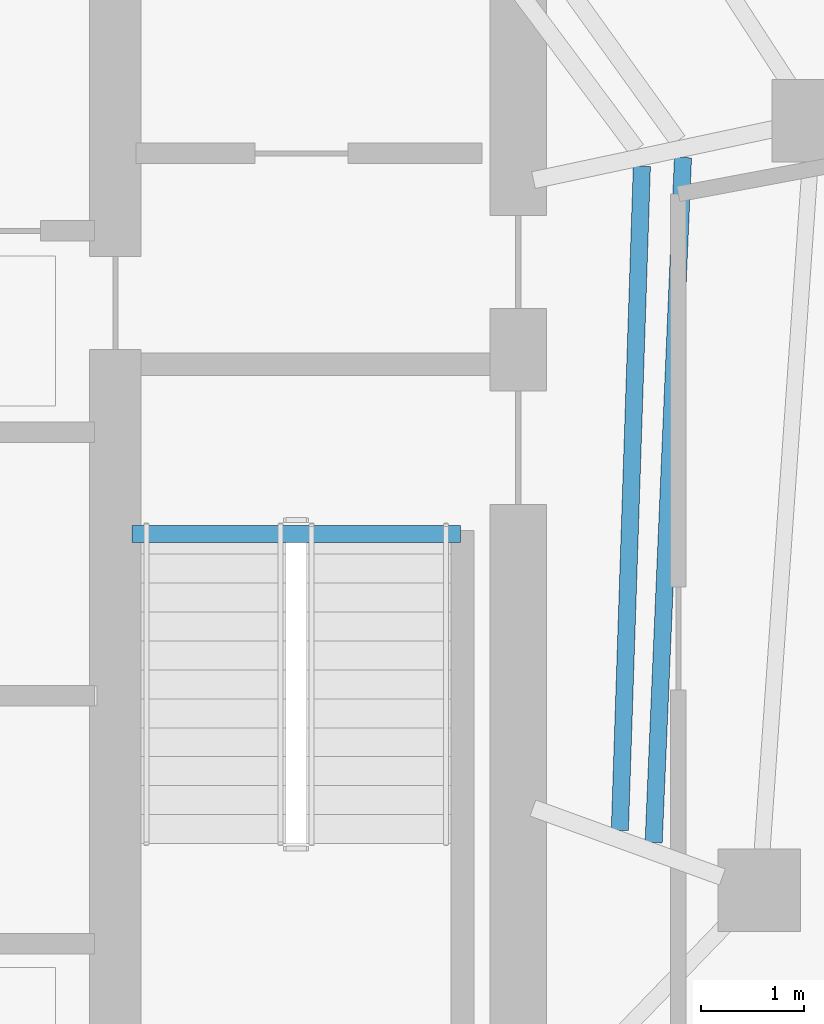
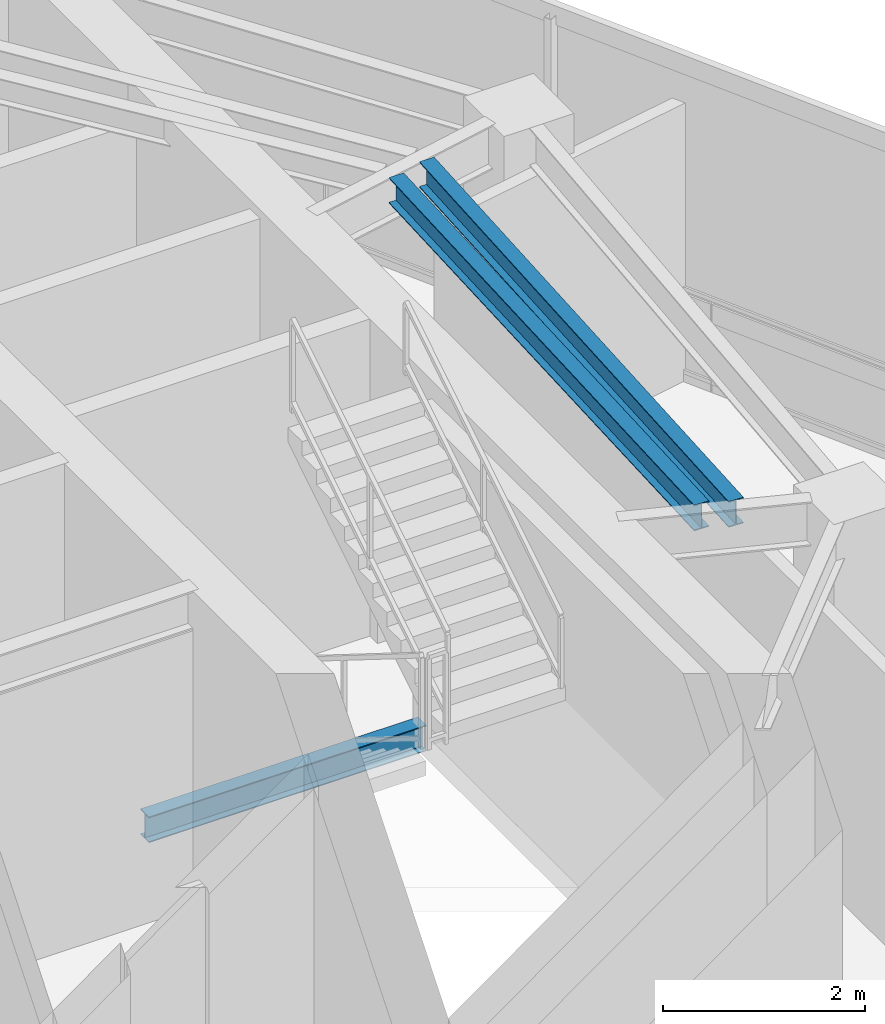
# One storey, part 5 of 18: 3 beams.
"""IFC4 building model written with IfcOpenShell, lengths in metres."""

from ifc_helpers import new_model, si_unit, direction, frame, origin, origin_2d, place, context, subcontext, project, spatial, i_section, extrude, material, material_profile, profile_set, type_object, element, save


model = new_model("IFC4")

# Units and contexts
model_context = context("Model", 3, precision=1e-05, world=origin(), true_north=direction((0.0, 1.0)))
body_context = subcontext(model_context, "Body", "Model", "MODEL_VIEW")
ifc_project = project(units=[si_unit("LENGTHUNIT", "METRE"), si_unit("AREAUNIT", "SQUARE_METRE"), si_unit("VOLUMEUNIT", "CUBIC_METRE"), si_unit("PLANEANGLEUNIT", "RADIAN"), si_unit("MASSUNIT", "GRAM", prefix="KILO")], contexts=[model_context])

# Site, building, storey
site_placement = place(None, origin())
site = spatial("IfcSite", under=ifc_project, at=site_placement, CompositionType="ELEMENT")
building_placement = place(site_placement, origin())
building = spatial("IfcBuilding", under=site, at=building_placement, Name="Qarnah Convention Tower", CompositionType="ELEMENT")
storey_placement = place(building_placement, frame((0.0, 0.0, 279.300048828125)))
storey = spatial("IfcBuildingStorey", under=building, at=storey_placement, Name="L75", CompositionType="ELEMENT", Elevation=279.300048828125)

# Beams
ifc_material = material(Name="Structural steel S355JR", Category="steel")
ifc_material_profile = material_profile(ifc_material, i_section(OverallWidth=0.166015625, OverallDepth=0.31201171875, WebThickness=0.007080078125, FlangeThickness=0.010986328125, at=origin_2d()), Name="W310X45")
ifc_profile_set = profile_set([ifc_material_profile], Name="Structural steel S355JR")
beam_type = type_object("IfcBeamType", Name="BM-JST-W310", PredefinedType="JOIST", material=ifc_profile_set)
beam_1_placement = place(storey_placement, frame((43.860107421875, 25.217041015625, -0.156005859375), z_axis=(1.0, 0.0, 0.0), x_axis=(0.0, 1.0, 0.0)))
element("IfcBeam", 1, at=beam_1_placement, inside=storey, type_object=beam_type, Name="L75 stair landing trimmer beam BM-L75-ST2-TRM", PredefinedType="BEAM", context=body_context, shape_type="SweptSolid", body=[
    extrude(i_section(OverallWidth=0.166015625, OverallDepth=0.31201171875, WebThickness=0.007080078125, FlangeThickness=0.010986328125, at=origin_2d()), origin(), (0.0, 0.0, 1.0), 3.179931640625),
])
beam_2_placement = place(storey_placement, frame((48.909912109375, 22.22998046875, 3.683837890625), z_axis=(0.042822559752, 0.999082693462, 0.0), x_axis=(-0.999082693462, 0.042822559752, 0.0)))
element("IfcBeam", 2, at=beam_2_placement, inside=storey, type_object=beam_type, Name="L75 joist BM-L75-SJST-09", PredefinedType="JOIST", context=body_context, shape_type="SweptSolid", body=[
    extrude(i_section(OverallWidth=0.166015625, OverallDepth=0.31201171875, WebThickness=0.007080078125, FlangeThickness=0.010986328125, at=origin_2d()), origin(), (0.0, 0.0, 1.0), 6.63623046875),
])
beam_3_placement = place(storey_placement, frame((48.5830078125, 22.347900390625, 3.683837890625), z_axis=(0.033106248914, 0.999451837901, 0.0), x_axis=(-0.999451837901, 0.033106248914, 0.0)))
element("IfcBeam", 3, at=beam_3_placement, inside=storey, type_object=beam_type, Name="L75 joist BM-L75-IJST-09", PredefinedType="JOIST", context=body_context, shape_type="SweptSolid", body=[
    extrude(i_section(OverallWidth=0.166015625, OverallDepth=0.31201171875, WebThickness=0.007080078125, FlangeThickness=0.010986328125, at=origin_2d()), origin(), (0.0, 0.0, 1.0), 6.430419921875),
])

save(model, "model.ifc")
